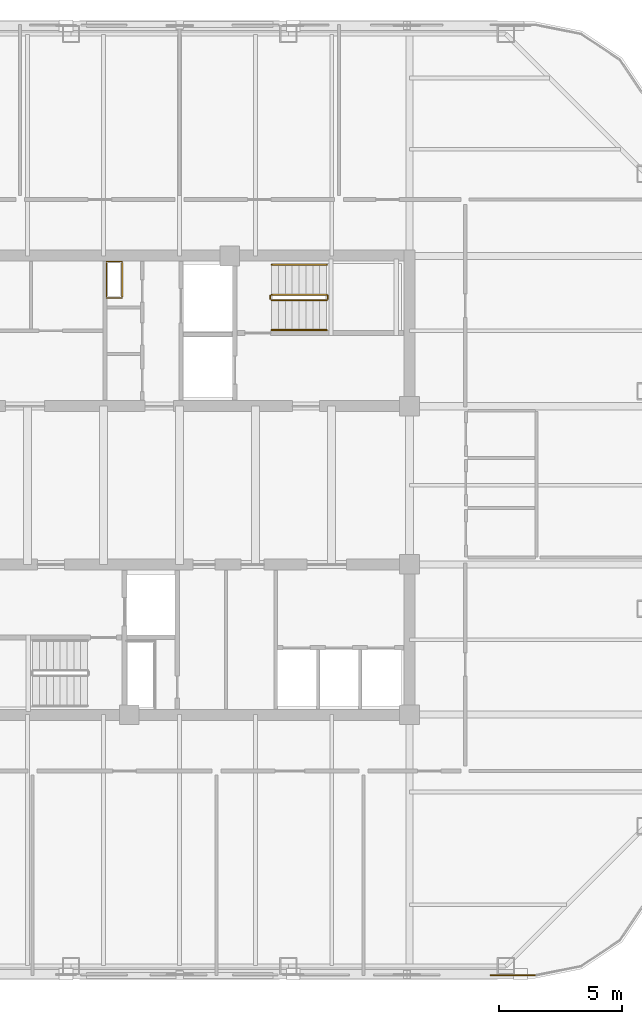
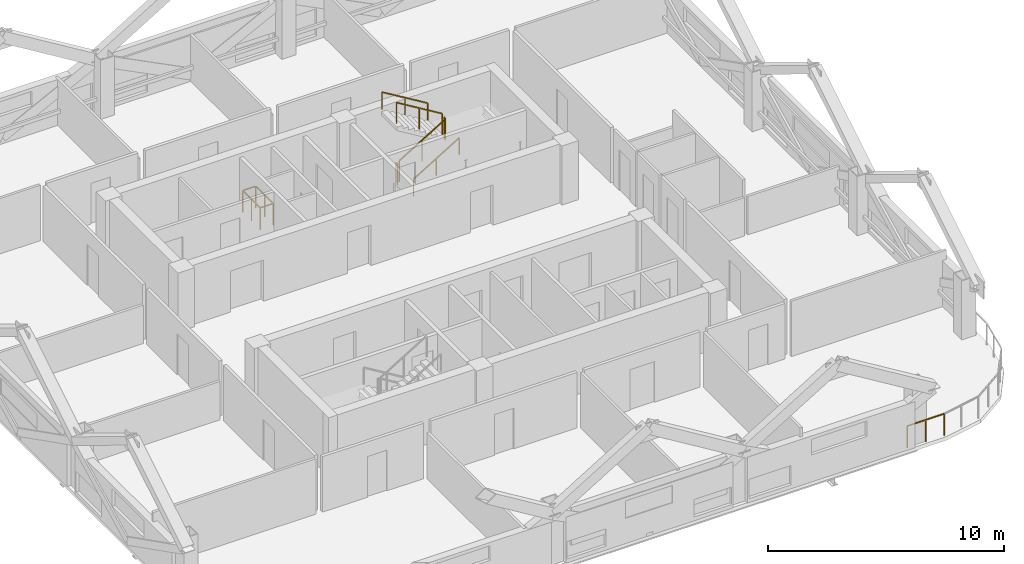
# One storey, part 8 of 9: 8 railings.
"""IFC4 building model written with IfcOpenShell, lengths in metres."""

import ifcopenshell
import ifcopenshell.guid

model = None  # the IFC model being written
_history = None  # IfcOwnerHistory: only IFC2X3 demands one
_inside = {}  # id of a spatial element -> (the spatial element, [elements in it])
_under = {}  # id of a project, library or spatial element -> (it, [spatial elements below it])
_declared = {}  # id of a project -> (the project, [libraries it declares])
_typed = {}  # id of a type object -> (the type object, [elements of that type])
_made_of = {}  # id of a material, layer set ... -> (it, [elements and type objects made of it])


def new_model(schema):
    """Start an empty IFC model of exactly this schema.

    Asked for "IFC4X3", IfcOpenShell would pick the latest addendum, in which some entities
    have other attributes; the version numbers below select the first issue.
    IFC2X3 requires an IfcOwnerHistory on every rooted entity: one is made here for all.
    """
    global model, _history
    if schema == "IFC4X3":
        model = ifcopenshell.file(schema_version=(4, 3, 0, 0))
    else:
        model = ifcopenshell.file(schema=schema)
    _inside.clear()
    _under.clear()
    _declared.clear()
    _typed.clear()
    _made_of.clear()
    _history = None
    if model.schema == "IFC2X3":
        org = make("IfcOrganization", Name="unknown")
        user = make(
            "IfcPersonAndOrganization",
            ThePerson=make("IfcPerson", FamilyName="unknown"),
            TheOrganization=org,
        )
        app = make(
            "IfcApplication",
            ApplicationDeveloper=org,
            Version="unknown",
            ApplicationFullName="unknown",
            ApplicationIdentifier="unknown",
        )
        _history = make(
            "IfcOwnerHistory",
            OwningUser=user,
            OwningApplication=app,
            ChangeAction="ADDED",
            CreationDate=0,
        )
    return model


def make(cls, **values):
    """One entity of the class cls with the attributes given. An attribute that is None is left unset."""
    return model.create_entity(
        cls, **{name: value for name, value in values.items() if value is not None}
    )


def rooted(cls, **values):
    """An entity with a GlobalId (a new one), such as an element, a storey or a relation."""
    return make(cls, GlobalId=ifcopenshell.guid.new(), OwnerHistory=_history, **values)


def si_unit(unit_type, name, prefix=None):
    """IfcSIUnit, for example si_unit("LENGTHUNIT", "METRE", prefix="MILLI")."""
    return make("IfcSIUnit", UnitType=unit_type, Prefix=prefix, Name=name)


def assignment(units):
    """IfcUnitAssignment: the units of a project."""
    return None if units is None else make("IfcUnitAssignment", Units=units)


def point(xyz):
    """IfcCartesianPoint."""
    return None if xyz is None else make("IfcCartesianPoint", Coordinates=xyz)


def direction(xyz):
    """IfcDirection."""
    return None if xyz is None else make("IfcDirection", DirectionRatios=xyz)


def frame(location, z_axis=None, x_axis=None):
    """IfcAxis2Placement3D, a coordinate frame: its origin and axes. An axis left out is left unset."""
    return make(
        "IfcAxis2Placement3D",
        Location=point(location),
        Axis=direction(z_axis),
        RefDirection=direction(x_axis),
    )


def frame_2d(location, x_axis=None):
    """IfcAxis2Placement2D, a coordinate frame in the plane: its origin and x axis."""
    return make(
        "IfcAxis2Placement2D", Location=point(location), RefDirection=direction(x_axis)
    )


def origin():
    """The frame at (0, 0, 0) with its axes left unset."""
    return frame((0.0, 0.0, 0.0))


def origin_2d():
    """The frame at (0, 0) in the plane with its x axis left unset."""
    return frame_2d((0.0, 0.0))


def place(relative_to, where):
    """IfcLocalPlacement: puts the frame where relative to a parent placement (None: the world)."""
    return make(
        "IfcLocalPlacement", PlacementRelTo=relative_to, RelativePlacement=where
    )


def context(
    kind, dimensions, precision=None, world=None, true_north=None, identifier=None
):
    """IfcGeometricRepresentationContext, for example the 3D "Model" context."""
    return make(
        "IfcGeometricRepresentationContext",
        ContextIdentifier=identifier,
        ContextType=kind,
        CoordinateSpaceDimension=dimensions,
        Precision=precision,
        WorldCoordinateSystem=world,
        TrueNorth=true_north,
    )


def subcontext(parent, identifier, kind, view, scale=None):
    """IfcGeometricRepresentationSubContext, for example "Body" below "Model"."""
    return make(
        "IfcGeometricRepresentationSubContext",
        ContextIdentifier=identifier,
        ContextType=kind,
        ParentContext=parent,
        TargetScale=scale,
        TargetView=view,
    )


def project(units=None, contexts=None):
    """IfcProject with its units and contexts."""
    return rooted(
        "IfcProject",
        Name="project",
        RepresentationContexts=contexts,
        UnitsInContext=assignment(units),
    )


def spatial(cls, under=None, at=None, **own):
    """A site, building, storey or space (cls), placed at a placement, below another one or the project."""
    s = rooted(cls, ObjectPlacement=at, **own)
    if under is not None:
        _under.setdefault(under.id(), (under, []))[1].append(s)
    return s


def profile(cls, at=None, kind="AREA", **sizes):
    """A parametric profile (cls). Its sizes go by their IFC names, for example OverallWidth=200.0."""
    return make(cls, ProfileType=kind, Position=at, **sizes)


def rectangle(**sizes):
    """IfcRectangleProfileDef."""
    return profile("IfcRectangleProfileDef", **sizes)


def extrude(swept, where, along, depth):
    """IfcExtrudedAreaSolid: the profile swept, set in the frame where, extruded along a direction by depth."""
    return make(
        "IfcExtrudedAreaSolid",
        SweptArea=swept,
        Position=where,
        ExtrudedDirection=direction(along),
        Depth=depth,
    )


def shape(context_of_items, identifier, shape_type, items):
    """IfcShapeRepresentation: the items that make up one representation, for example the "Body"."""
    return make(
        "IfcShapeRepresentation",
        ContextOfItems=context_of_items,
        RepresentationIdentifier=identifier,
        RepresentationType=shape_type,
        Items=items,
    )


def material(Name=None, Category=None):
    """IfcMaterial."""
    return make("IfcMaterial", Name=Name, Category=Category)


def made_of(thing, what):
    """Note that an element or type object is made of a material, layer set ...; save() writes the relation."""
    if what is not None:
        _made_of.setdefault(what.id(), (what, []))[1].append(thing)
    return thing


def type_object(cls, material=None, **own):
    """A type object (cls), such as IfcWallType, which elements share."""
    return made_of(rooted(cls, **own), material)


def element(
    cls,
    number,
    at=None,
    inside=None,
    cuts=None,
    type_object=None,
    material=None,
    context=None,
    identifier="Body",
    shape_type=None,
    held_by="IfcProductDefinitionShape",
    body=None,
    shapes=None,
    **own,
):
    """One element of the class cls, such as IfcWall. Its Tag is "e" and its number.

    at: its placement. inside: the storey or other place that contains it. cuts: it is an
    opening in that element (IfcRelVoidsElement). A single representation is given by context,
    identifier, shape_type and body (its items); several are given by shapes. held_by: the class
    of the entity that holds the representations. save() writes the other relations.
    """
    e = rooted(cls, Tag="e%d" % number, ObjectPlacement=at, **own)
    if body is not None:
        shapes = [shape(context, identifier, shape_type, body)]
    if shapes is not None:
        e.Representation = make(held_by, Representations=shapes)
    if inside is not None:
        _inside.setdefault(inside.id(), (inside, []))[1].append(e)
    if cuts is not None:
        rooted(
            "IfcRelVoidsElement", RelatingBuildingElement=cuts, RelatedOpeningElement=e
        )
    if type_object is not None:
        _typed.setdefault(type_object.id(), (type_object, []))[1].append(e)
    return made_of(e, material)


def aggregate(whole, parts):
    """IfcRelAggregates: a whole, such as a stair, and the parts it consists of."""
    return rooted("IfcRelAggregates", RelatingObject=whole, RelatedObjects=parts)


def save(model, path):
    """Write the relations noted so far, then the file.

    IfcRelAggregates (storeys below a building ...), IfcRelContainedInSpatialStructure (elements
    in a storey), IfcRelDefinesByType, IfcRelAssociatesMaterial and IfcRelDeclares: one each for
    every whole, place, type object, material and project.
    """
    for whole, parts in _under.values():
        aggregate(whole, parts)
    for where, things in _inside.values():
        rooted(
            "IfcRelContainedInSpatialStructure",
            RelatedElements=things,
            RelatingStructure=where,
        )
    for kind, things in _typed.values():
        rooted("IfcRelDefinesByType", RelatedObjects=things, RelatingType=kind)
    for what, things in _made_of.values():
        rooted("IfcRelAssociatesMaterial", RelatedObjects=things, RelatingMaterial=what)
    for by, libraries in _declared.values():
        rooted("IfcRelDeclares", RelatingContext=by, RelatedDefinitions=libraries)
    model.write(path)


model = new_model("IFC4")

# Units and contexts
model_context = context("Model", 3, precision=1e-05, world=origin(), true_north=direction((0.0, 1.0)))
body_context = subcontext(model_context, "Body", "Model", "MODEL_VIEW")
ifc_project = project(units=[si_unit("LENGTHUNIT", "METRE"), si_unit("AREAUNIT", "SQUARE_METRE"), si_unit("VOLUMEUNIT", "CUBIC_METRE"), si_unit("PLANEANGLEUNIT", "RADIAN"), si_unit("MASSUNIT", "GRAM", prefix="KILO")], contexts=[model_context])

# Site, building, storey
site_placement = place(None, origin())
site = spatial("IfcSite", under=ifc_project, at=site_placement, CompositionType="ELEMENT")
building_placement = place(site_placement, origin())
building = spatial("IfcBuilding", under=site, at=building_placement, Name="Qhalaya Broadcast Tower", CompositionType="ELEMENT")
storey_placement = place(building_placement, frame((0.0, 0.0, 217.800048828125)))
storey = spatial("IfcBuildingStorey", under=building, at=storey_placement, Name="L64", CompositionType="ELEMENT", Elevation=217.800048828125)

# Railings
ifc_material = material(Name="Powder-Coated Galvanised Steel", Category="steel")
railing_type_1 = type_object("IfcRailingType", Name="Stair Wall Handrail 900", PredefinedType="HANDRAIL", material=ifc_material)
railing_1_placement = place(storey_placement, frame((3.75, 6.929931640625, 0.16943359375)))
element("IfcRailing", 1, at=railing_1_placement, inside=storey, type_object=railing_type_1, Name="L64 ST-1 Stair Handrail 1", PredefinedType="HANDRAIL", context=body_context, shape_type="SweptSolid", body=[
    extrude(rectangle(XDim=0.048095703125, YDim=0.048095703125, at=origin_2d()), frame((0.0, 0.0, 0.8759765625), z_axis=(0.855553338991, 0.0, 0.51771467445), x_axis=(0.0, 1.0, 0.0)), (0.0, 0.0, 1.0), 2.6181640625),
    extrude(rectangle(XDim=0.0419921875, YDim=0.0419921875, at=origin_2d()), origin(), (0.0, 0.0, 1.0), 0.849853515625),
    extrude(rectangle(XDim=0.0419921875, YDim=0.0419921875, at=origin_2d()), frame((1.1201171875, 0.0, 0.677734375)), (0.0, 0.0, 1.0), 0.849853515625),
    extrude(rectangle(XDim=0.0419921875, YDim=0.0419921875, at=origin_2d()), frame((2.239990234375, 0.0, 1.35546875)), (0.0, 0.0, 1.0), 0.849853515625),
])
railing_2_placement = place(storey_placement, frame((5.989990234375, 9.590087890625, 1.6943359375)))
element("IfcRailing", 2, at=railing_2_placement, inside=storey, type_object=railing_type_1, Name="L64 ST-1 Stair Handrail 2", PredefinedType="HANDRAIL", context=body_context, shape_type="SweptSolid", body=[
    extrude(rectangle(XDim=0.048095703125, YDim=0.048095703125, at=origin_2d()), frame((0.0, 0.0, 0.8759765625), z_axis=(-0.855512035549, 0.0, 0.517782924622), x_axis=(0.0, -1.0, 0.0)), (0.0, 0.0, 1.0), 2.618408203125),
    extrude(rectangle(XDim=0.0419921875, YDim=0.0419921875, at=origin_2d()), origin(), (0.0, 0.0, 1.0), 0.849853515625),
    extrude(rectangle(XDim=0.0419921875, YDim=0.0419921875, at=origin_2d()), frame((-1.1201171875, 0.0, 0.677734375)), (0.0, 0.0, 1.0), 0.849853515625),
    extrude(rectangle(XDim=0.0419921875, YDim=0.0419921875, at=origin_2d()), frame((-2.239990234375, 0.0, 1.355712890625)), (0.0, 0.0, 1.0), 0.849853515625),
])
railing_type_2 = type_object("IfcRailingType", Name="Stair Well & Landing Guardrail 1100", PredefinedType="GUARDRAIL", material=ifc_material)
railing_3_placement = place(storey_placement, frame((-2.340087890625, 8.239990234375, 0.0)))
element("IfcRailing", 3, at=railing_3_placement, inside=storey, type_object=railing_type_2, Name="L64 Service Riser Opening Safety Guard NRSR", PredefinedType="GUARDRAIL", context=body_context, shape_type="SweptSolid", body=[
    extrude(rectangle(XDim=0.048095703125, YDim=0.048095703125, at=origin_2d()), frame((0.0, 0.02880859375, 1.1259765625), z_axis=(0.0, 1.0, 0.0), x_axis=(-1.0, 0.0, 0.0)), (0.0, 0.0, 1.0), 1.42236328125),
    extrude(rectangle(XDim=0.048095703125, YDim=0.048095703125, at=origin_2d()), frame((-0.02880859375, 1.47998046875, 1.1259765625), z_axis=(-1.0, 0.0, 0.0), x_axis=(0.0, -1.0, 0.0)), (0.0, 0.0, 1.0), 0.582275390625),
    extrude(rectangle(XDim=0.048095703125, YDim=0.048095703125, at=origin_2d()), frame((-0.639892578125, 1.451171875, 1.1259765625), z_axis=(0.0, -1.0, 0.0), x_axis=(1.0, 0.0, 0.0)), (0.0, 0.0, 1.0), 1.42236328125),
    extrude(rectangle(XDim=0.048095703125, YDim=0.048095703125, at=origin_2d()), frame((-0.611083984375, 0.0, 1.1259765625), z_axis=(1.0, 0.0, 0.0), x_axis=(0.0, 1.0, 0.0)), (0.0, 0.0, 1.0), 0.582275390625),
    extrude(rectangle(XDim=0.0419921875, YDim=0.0419921875, at=origin_2d()), origin(), (0.0, 0.0, 1.0), 1.099853515625),
    extrude(rectangle(XDim=0.0419921875, YDim=0.0419921875, at=origin_2d()), frame((0.0, 0.739990234375, 0.0)), (0.0, 0.0, 1.0), 1.099853515625),
    extrude(rectangle(XDim=0.0419921875, YDim=0.0419921875, at=origin_2d()), frame((0.0, 1.47998046875, 0.0)), (0.0, 0.0, 1.0), 1.099853515625),
    extrude(rectangle(XDim=0.0419921875, YDim=0.0419921875, at=origin_2d()), frame((-0.639892578125, 1.47998046875, 0.0)), (0.0, 0.0, 1.0), 1.099853515625),
    extrude(rectangle(XDim=0.0419921875, YDim=0.0419921875, at=origin_2d()), frame((-0.639892578125, 0.739990234375, 0.0)), (0.0, 0.0, 1.0), 1.099853515625),
    extrude(rectangle(XDim=0.0419921875, YDim=0.0419921875, at=origin_2d()), frame((-0.639892578125, 0.0, 0.0)), (0.0, 0.0, 1.0), 1.099853515625),
])
railing_4_placement = place(storey_placement, frame((3.75, 8.14990234375, 0.16943359375)))
element("IfcRailing", 4, at=railing_4_placement, inside=storey, type_object=railing_type_2, Name="L64 ST-1 Stair Guard 1", PredefinedType="GUARDRAIL", context=body_context, shape_type="SweptSolid", body=[
    extrude(rectangle(XDim=0.048095703125, YDim=0.048095703125, at=origin_2d()), frame((0.0, 0.0, 1.076171875), z_axis=(0.855553338991, 0.0, 0.51771467445), x_axis=(0.0, 1.0, 0.0)), (0.0, 0.0, 1.0), 2.6181640625),
    extrude(rectangle(XDim=0.0419921875, YDim=0.0419921875, at=origin_2d()), origin(), (0.0, 0.0, 1.0), 1.050048828125),
    extrude(rectangle(XDim=0.0419921875, YDim=0.0419921875, at=origin_2d()), frame((1.1201171875, 0.0, 0.677734375)), (0.0, 0.0, 1.0), 1.050048828125),
    extrude(rectangle(XDim=0.0419921875, YDim=0.0419921875, at=origin_2d()), frame((2.239990234375, 0.0, 1.35546875)), (0.0, 0.0, 1.0), 1.050048828125),
])
railing_5_placement = place(storey_placement, frame((6.0400390625, 8.199951171875, 1.52490234375)))
element("IfcRailing", 5, at=railing_5_placement, inside=storey, type_object=railing_type_2, Name="L64 ST-1 Stair Guard 2", PredefinedType="GUARDRAIL", context=body_context, shape_type="SweptSolid", body=[
    extrude(rectangle(XDim=0.048095703125, YDim=0.048095703125, at=origin_2d()), frame((0.0, 0.0, 1.076171875), z_axis=(0.0, 1.0, 0.0), x_axis=(-1.0, 0.0, 0.0)), (0.0, 0.0, 1.0), 0.1201171875),
    extrude(rectangle(XDim=0.0419921875, YDim=0.0419921875, at=origin_2d()), origin(), (0.0, 0.0, 1.0), 1.050048828125),
    extrude(rectangle(XDim=0.0419921875, YDim=0.0419921875, at=origin_2d()), frame((0.0, 0.1201171875, 0.0)), (0.0, 0.0, 1.0), 1.050048828125),
])
railing_6_placement = place(storey_placement, frame((5.989990234375, 8.3701171875, 1.6943359375)))
element("IfcRailing", 6, at=railing_6_placement, inside=storey, type_object=railing_type_2, Name="L64 ST-1 Stair Guard 3", PredefinedType="GUARDRAIL", context=body_context, shape_type="SweptSolid", body=[
    extrude(rectangle(XDim=0.048095703125, YDim=0.048095703125, at=origin_2d()), frame((0.0, 0.0, 1.076171875), z_axis=(-0.855512035549, 0.0, 0.517782924622), x_axis=(0.0, -1.0, 0.0)), (0.0, 0.0, 1.0), 2.618408203125),
    extrude(rectangle(XDim=0.0419921875, YDim=0.0419921875, at=origin_2d()), origin(), (0.0, 0.0, 1.0), 1.050048828125),
    extrude(rectangle(XDim=0.0419921875, YDim=0.0419921875, at=origin_2d()), frame((-1.1201171875, 0.0, 0.677734375)), (0.0, 0.0, 1.0), 1.050048828125),
    extrude(rectangle(XDim=0.0419921875, YDim=0.0419921875, at=origin_2d()), frame((-2.239990234375, 0.0, 1.355712890625)), (0.0, 0.0, 1.0), 1.050048828125),
])
railing_7_placement = place(storey_placement, frame((3.699951171875, 8.199951171875, 0.0)))
element("IfcRailing", 7, at=railing_7_placement, inside=storey, type_object=railing_type_2, Name="L64 ST-1 Stair Guard 4", PredefinedType="GUARDRAIL", context=body_context, shape_type="SweptSolid", body=[
    extrude(rectangle(XDim=0.048095703125, YDim=0.048095703125, at=origin_2d()), frame((0.0, 0.0, 1.076171875), z_axis=(0.0, 1.0, 0.0), x_axis=(-1.0, 0.0, 0.0)), (0.0, 0.0, 1.0), 0.1201171875),
    extrude(rectangle(XDim=0.0419921875, YDim=0.0419921875, at=origin_2d()), origin(), (0.0, 0.0, 1.0), 1.050048828125),
    extrude(rectangle(XDim=0.0419921875, YDim=0.0419921875, at=origin_2d()), frame((0.0, 0.1201171875, 0.0)), (0.0, 0.0, 1.0), 1.050048828125),
])
railing_type_3 = type_object("IfcRailingType", Name="Terrace, Sky-Pool & Lookout Glass Balustrade 1150", PredefinedType="BALUSTRADE", material=ifc_material)
railing_8_placement = place(storey_placement, frame((14.48828125, -19.3798828125, 0.0)))
element("IfcRailing", 8, at=railing_8_placement, inside=storey, type_object=railing_type_3, Name="L64 Rounded Corner Perimeter Guard 01", PredefinedType="BALUSTRADE", context=body_context, shape_type="SweptSolid", body=[
    extrude(rectangle(XDim=0.048095703125, YDim=0.048095703125, at=origin_2d()), frame((0.0, 0.0, 1.1259765625), z_axis=(-1.0, 0.0, 0.0), x_axis=(0.0, -1.0, 0.0)), (0.0, 0.0, 1.0), 1.806396484375),
    extrude(rectangle(XDim=0.0419921875, YDim=0.0419921875, at=origin_2d()), origin(), (0.0, 0.0, 1.0), 1.099853515625),
    extrude(rectangle(XDim=0.0419921875, YDim=0.0419921875, at=origin_2d()), frame((-0.9033203125, 0.0, 0.0)), (0.0, 0.0, 1.0), 1.099853515625),
    extrude(rectangle(XDim=0.0419921875, YDim=0.0419921875, at=origin_2d()), frame((-1.806396484375, 0.0, 0.0)), (0.0, 0.0, 1.0), 1.099853515625),
])

save(model, "model.ifc")
